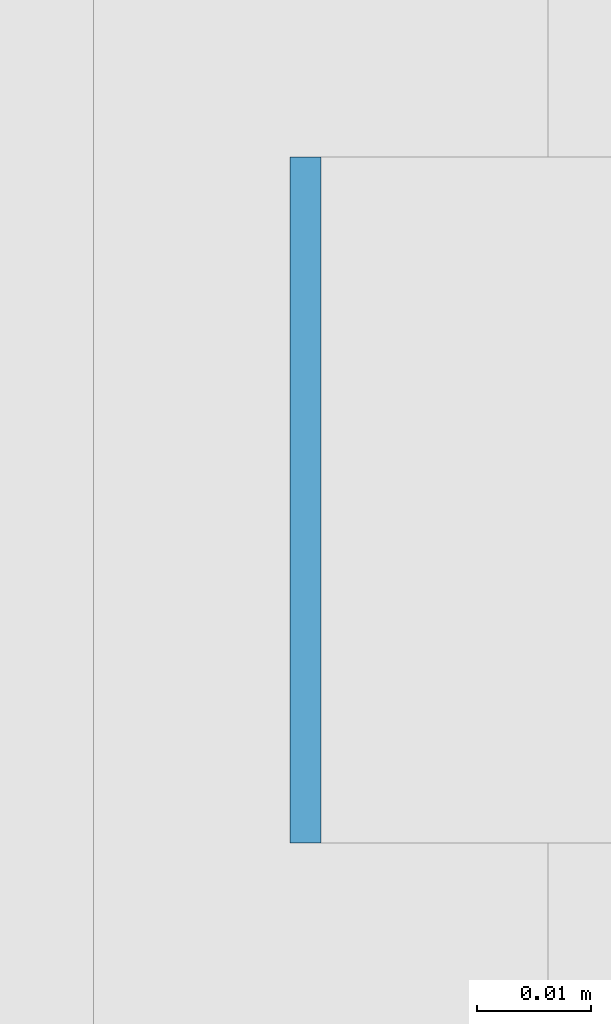
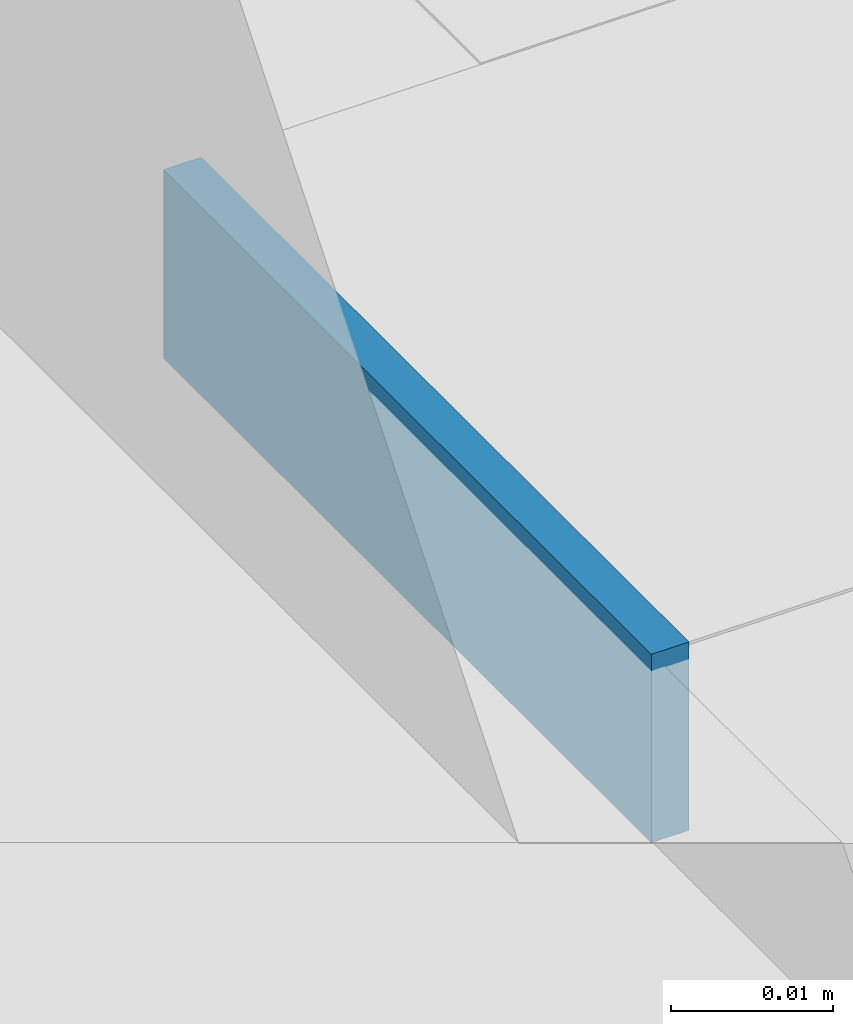
# One storey, part 601 of 646: 1 discrete accessory.
"""IFC4 building model written with IfcOpenShell, lengths in metres."""

from ifc_helpers import new_model, si_unit, direction, frame, origin, origin_2d, place, context, subcontext, project, spatial, rectangle, extrude, material, type_object, element, save


model = new_model("IFC4")

# Units and contexts
model_context = context("Model", 3, precision=1e-05, world=origin(), true_north=direction((0.0, 1.0)))
body_context = subcontext(model_context, "Body", "Model", "MODEL_VIEW")
ifc_project = project(units=[si_unit("LENGTHUNIT", "METRE"), si_unit("AREAUNIT", "SQUARE_METRE"), si_unit("VOLUMEUNIT", "CUBIC_METRE"), si_unit("PLANEANGLEUNIT", "RADIAN"), si_unit("MASSUNIT", "GRAM", prefix="KILO")], contexts=[model_context])

# Site, building, storey
site_placement = place(None, origin())
site = spatial("IfcSite", under=ifc_project, at=site_placement, CompositionType="ELEMENT")
building_placement = place(site_placement, origin())
building = spatial("IfcBuilding", under=site, at=building_placement, Name="Silverbay Arena", CompositionType="ELEMENT")
storey_placement = place(building_placement, frame((0.0, 0.0, 33.5)))
storey = spatial("IfcBuildingStorey", under=building, at=storey_placement, Name="L05", CompositionType="ELEMENT", Elevation=33.5)

# Discrete accessory
ifc_material = material(Name="Steel S355", Category="steel")
discrete_accessory_type = type_object("IfcDiscreteAccessoryType", Name="Steel bracket plate", PredefinedType="BRACKET", material=ifc_material)
discrete_accessory_placement = place(storey_placement, frame((207.128662109375, 124.71435546875, 12.98583984375), z_axis=(0.0, 0.0, 1.0), x_axis=(1.0, 0.0, 0.0)))
element("IfcDiscreteAccessory", 1, at=discrete_accessory_placement, inside=storey, type_object=discrete_accessory_type, Name="Curtain wall packing plate", PredefinedType="BRACKET", context=body_context, shape_type="SweptSolid", body=[
    extrude(rectangle(XDim=0.002685546875, YDim=0.06005859375, at=origin_2d()), origin(), (0.0, 0.0, 1.0), 0.01416015625),
])

save(model, "model.ifc")
